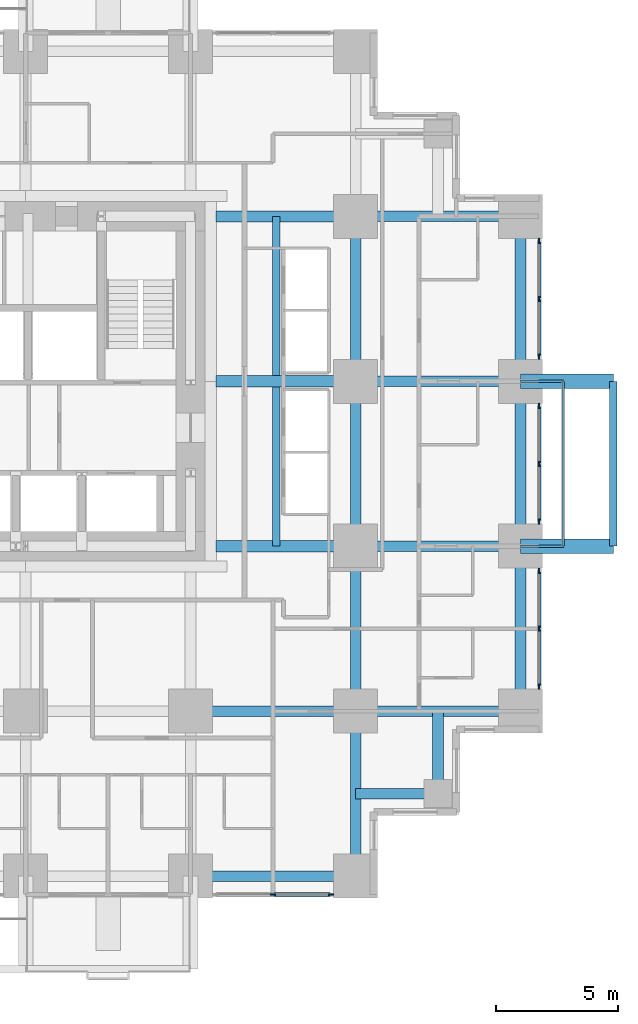
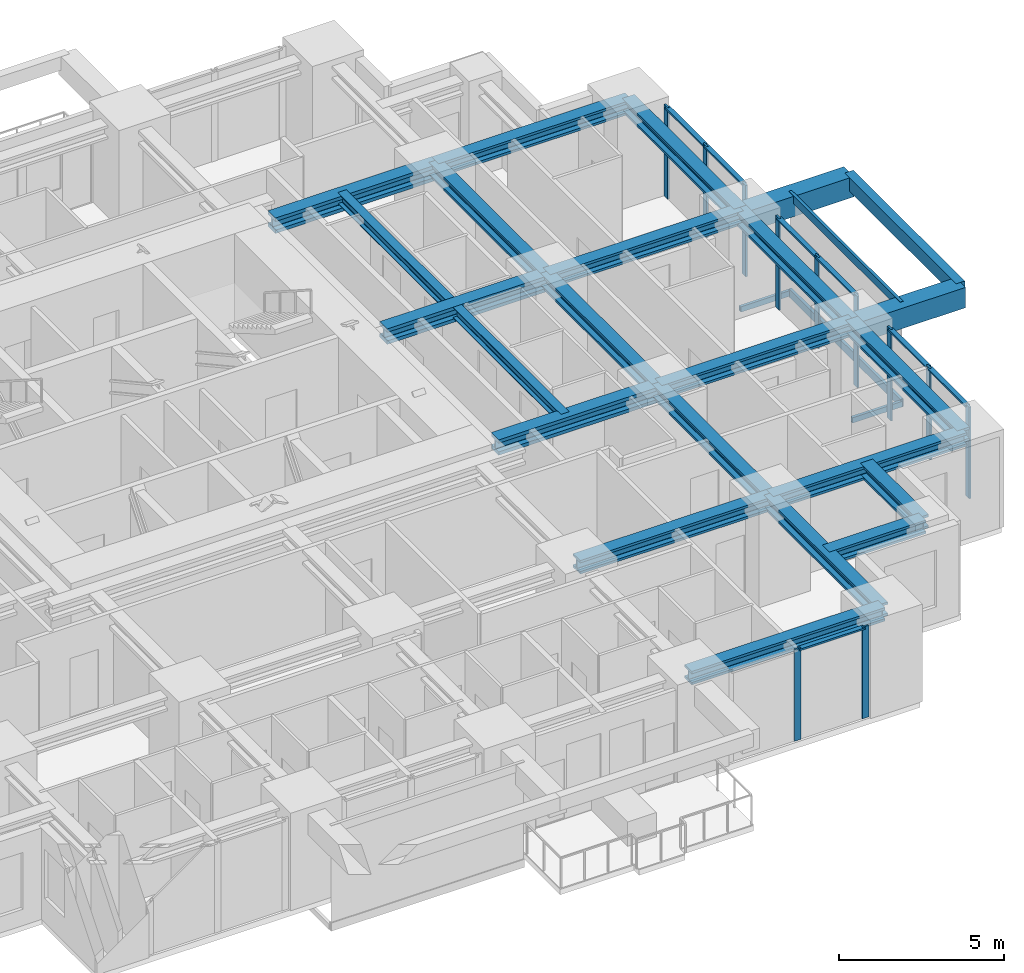
# One storey, part 4 of 13: 23 beams, 22 members, 4 elements without a shape of their own.
"""IFC4 building model written with IfcOpenShell, lengths in metres."""

import ifcopenshell
import ifcopenshell.guid

model = None  # the IFC model being written
_history = None  # IfcOwnerHistory: only IFC2X3 demands one
_inside = {}  # id of a spatial element -> (the spatial element, [elements in it])
_under = {}  # id of a project, library or spatial element -> (it, [spatial elements below it])
_declared = {}  # id of a project -> (the project, [libraries it declares])
_typed = {}  # id of a type object -> (the type object, [elements of that type])
_made_of = {}  # id of a material, layer set ... -> (it, [elements and type objects made of it])


def new_model(schema):
    """Start an empty IFC model of exactly this schema.

    Asked for "IFC4X3", IfcOpenShell would pick the latest addendum, in which some entities
    have other attributes; the version numbers below select the first issue.
    IFC2X3 requires an IfcOwnerHistory on every rooted entity: one is made here for all.
    """
    global model, _history
    if schema == "IFC4X3":
        model = ifcopenshell.file(schema_version=(4, 3, 0, 0))
    else:
        model = ifcopenshell.file(schema=schema)
    _inside.clear()
    _under.clear()
    _declared.clear()
    _typed.clear()
    _made_of.clear()
    _history = None
    if model.schema == "IFC2X3":
        org = make("IfcOrganization", Name="unknown")
        user = make(
            "IfcPersonAndOrganization",
            ThePerson=make("IfcPerson", FamilyName="unknown"),
            TheOrganization=org,
        )
        app = make(
            "IfcApplication",
            ApplicationDeveloper=org,
            Version="unknown",
            ApplicationFullName="unknown",
            ApplicationIdentifier="unknown",
        )
        _history = make(
            "IfcOwnerHistory",
            OwningUser=user,
            OwningApplication=app,
            ChangeAction="ADDED",
            CreationDate=0,
        )
    return model


def make(cls, **values):
    """One entity of the class cls with the attributes given. An attribute that is None is left unset."""
    return model.create_entity(
        cls, **{name: value for name, value in values.items() if value is not None}
    )


def rooted(cls, **values):
    """An entity with a GlobalId (a new one), such as an element, a storey or a relation."""
    return make(cls, GlobalId=ifcopenshell.guid.new(), OwnerHistory=_history, **values)


def si_unit(unit_type, name, prefix=None):
    """IfcSIUnit, for example si_unit("LENGTHUNIT", "METRE", prefix="MILLI")."""
    return make("IfcSIUnit", UnitType=unit_type, Prefix=prefix, Name=name)


def assignment(units):
    """IfcUnitAssignment: the units of a project."""
    return None if units is None else make("IfcUnitAssignment", Units=units)


def point(xyz):
    """IfcCartesianPoint."""
    return None if xyz is None else make("IfcCartesianPoint", Coordinates=xyz)


def direction(xyz):
    """IfcDirection."""
    return None if xyz is None else make("IfcDirection", DirectionRatios=xyz)


def frame(location, z_axis=None, x_axis=None):
    """IfcAxis2Placement3D, a coordinate frame: its origin and axes. An axis left out is left unset."""
    return make(
        "IfcAxis2Placement3D",
        Location=point(location),
        Axis=direction(z_axis),
        RefDirection=direction(x_axis),
    )


def frame_2d(location, x_axis=None):
    """IfcAxis2Placement2D, a coordinate frame in the plane: its origin and x axis."""
    return make(
        "IfcAxis2Placement2D", Location=point(location), RefDirection=direction(x_axis)
    )


def origin():
    """The frame at (0, 0, 0) with its axes left unset."""
    return frame((0.0, 0.0, 0.0))


def origin_2d():
    """The frame at (0, 0) in the plane with its x axis left unset."""
    return frame_2d((0.0, 0.0))


def place(relative_to, where):
    """IfcLocalPlacement: puts the frame where relative to a parent placement (None: the world)."""
    return make(
        "IfcLocalPlacement", PlacementRelTo=relative_to, RelativePlacement=where
    )


def context(
    kind, dimensions, precision=None, world=None, true_north=None, identifier=None
):
    """IfcGeometricRepresentationContext, for example the 3D "Model" context."""
    return make(
        "IfcGeometricRepresentationContext",
        ContextIdentifier=identifier,
        ContextType=kind,
        CoordinateSpaceDimension=dimensions,
        Precision=precision,
        WorldCoordinateSystem=world,
        TrueNorth=true_north,
    )


def subcontext(parent, identifier, kind, view, scale=None):
    """IfcGeometricRepresentationSubContext, for example "Body" below "Model"."""
    return make(
        "IfcGeometricRepresentationSubContext",
        ContextIdentifier=identifier,
        ContextType=kind,
        ParentContext=parent,
        TargetScale=scale,
        TargetView=view,
    )


def project(units=None, contexts=None):
    """IfcProject with its units and contexts."""
    return rooted(
        "IfcProject",
        Name="project",
        RepresentationContexts=contexts,
        UnitsInContext=assignment(units),
    )


def spatial(cls, under=None, at=None, **own):
    """A site, building, storey or space (cls), placed at a placement, below another one or the project."""
    s = rooted(cls, ObjectPlacement=at, **own)
    if under is not None:
        _under.setdefault(under.id(), (under, []))[1].append(s)
    return s


def profile(cls, at=None, kind="AREA", **sizes):
    """A parametric profile (cls). Its sizes go by their IFC names, for example OverallWidth=200.0."""
    return make(cls, ProfileType=kind, Position=at, **sizes)


def rectangle(**sizes):
    """IfcRectangleProfileDef."""
    return profile("IfcRectangleProfileDef", **sizes)


def hollow_rectangle(**sizes):
    """IfcRectangleHollowProfileDef."""
    return profile("IfcRectangleHollowProfileDef", **sizes)


def i_section(**sizes):
    """IfcIShapeProfileDef."""
    return profile("IfcIShapeProfileDef", **sizes)


def extrude(swept, where, along, depth):
    """IfcExtrudedAreaSolid: the profile swept, set in the frame where, extruded along a direction by depth."""
    return make(
        "IfcExtrudedAreaSolid",
        SweptArea=swept,
        Position=where,
        ExtrudedDirection=direction(along),
        Depth=depth,
    )


def shape(context_of_items, identifier, shape_type, items):
    """IfcShapeRepresentation: the items that make up one representation, for example the "Body"."""
    return make(
        "IfcShapeRepresentation",
        ContextOfItems=context_of_items,
        RepresentationIdentifier=identifier,
        RepresentationType=shape_type,
        Items=items,
    )


def material(Name=None, Category=None):
    """IfcMaterial."""
    return make("IfcMaterial", Name=Name, Category=Category)


def material_profile(
    of_material, cross_section, Name=None, Category=None, Priority=None
):
    """IfcMaterialProfile: a cross section and its material."""
    return make(
        "IfcMaterialProfile",
        Name=Name,
        Material=of_material,
        Profile=cross_section,
        Priority=Priority,
        Category=Category,
    )


def profile_set(profiles, Name=None, composite=None):
    """IfcMaterialProfileSet."""
    return make(
        "IfcMaterialProfileSet",
        Name=Name,
        MaterialProfiles=profiles,
        CompositeProfile=composite,
    )


def made_of(thing, what):
    """Note that an element or type object is made of a material, layer set ...; save() writes the relation."""
    if what is not None:
        _made_of.setdefault(what.id(), (what, []))[1].append(thing)
    return thing


def type_object(cls, material=None, **own):
    """A type object (cls), such as IfcWallType, which elements share."""
    return made_of(rooted(cls, **own), material)


def element(
    cls,
    number,
    at=None,
    inside=None,
    cuts=None,
    type_object=None,
    material=None,
    context=None,
    identifier="Body",
    shape_type=None,
    held_by="IfcProductDefinitionShape",
    body=None,
    shapes=None,
    **own,
):
    """One element of the class cls, such as IfcWall. Its Tag is "e" and its number.

    at: its placement. inside: the storey or other place that contains it. cuts: it is an
    opening in that element (IfcRelVoidsElement). A single representation is given by context,
    identifier, shape_type and body (its items); several are given by shapes. held_by: the class
    of the entity that holds the representations. save() writes the other relations.
    """
    e = rooted(cls, Tag="e%d" % number, ObjectPlacement=at, **own)
    if body is not None:
        shapes = [shape(context, identifier, shape_type, body)]
    if shapes is not None:
        e.Representation = make(held_by, Representations=shapes)
    if inside is not None:
        _inside.setdefault(inside.id(), (inside, []))[1].append(e)
    if cuts is not None:
        rooted(
            "IfcRelVoidsElement", RelatingBuildingElement=cuts, RelatedOpeningElement=e
        )
    if type_object is not None:
        _typed.setdefault(type_object.id(), (type_object, []))[1].append(e)
    return made_of(e, material)


def aggregate(whole, parts):
    """IfcRelAggregates: a whole, such as a stair, and the parts it consists of."""
    return rooted("IfcRelAggregates", RelatingObject=whole, RelatedObjects=parts)


def save(model, path):
    """Write the relations noted so far, then the file.

    IfcRelAggregates (storeys below a building ...), IfcRelContainedInSpatialStructure (elements
    in a storey), IfcRelDefinesByType, IfcRelAssociatesMaterial and IfcRelDeclares: one each for
    every whole, place, type object, material and project.
    """
    for whole, parts in _under.values():
        aggregate(whole, parts)
    for where, things in _inside.values():
        rooted(
            "IfcRelContainedInSpatialStructure",
            RelatedElements=things,
            RelatingStructure=where,
        )
    for kind, things in _typed.values():
        rooted("IfcRelDefinesByType", RelatedObjects=things, RelatingType=kind)
    for what, things in _made_of.values():
        rooted("IfcRelAssociatesMaterial", RelatedObjects=things, RelatingMaterial=what)
    for by, libraries in _declared.values():
        rooted("IfcRelDeclares", RelatingContext=by, RelatedDefinitions=libraries)
    model.write(path)


model = new_model("IFC4")

# Units and contexts
model_context = context("Model", 3, precision=1e-05, world=origin(), true_north=direction((0.0, 1.0)))
body_context = subcontext(model_context, "Body", "Model", "MODEL_VIEW")
ifc_project = project(units=[si_unit("LENGTHUNIT", "METRE"), si_unit("AREAUNIT", "SQUARE_METRE"), si_unit("VOLUMEUNIT", "CUBIC_METRE"), si_unit("PLANEANGLEUNIT", "RADIAN"), si_unit("MASSUNIT", "GRAM", prefix="KILO")], contexts=[model_context])

# Site, building, storey
site_placement = place(None, origin())
site = spatial("IfcSite", under=ifc_project, at=site_placement, CompositionType="ELEMENT")
building_placement = place(site_placement, origin())
building = spatial("IfcBuilding", under=site, at=building_placement, Name="Nyansa Garden Tower", CompositionType="ELEMENT")
storey_placement = place(building_placement, frame((0.0, 0.0, 105.300048828125)))
storey = spatial("IfcBuildingStorey", under=building, at=storey_placement, Name="L28", CompositionType="ELEMENT", Elevation=105.300048828125)

# Beams
ifc_material_1 = material(Name="Concrete C70/85", Category="concrete")
ifc_material_profile_1 = material_profile(ifc_material_1, rectangle(XDim=0.60009765625, YDim=0.75, at=origin_2d()), Name="RC 600x750")
ifc_profile_set_1 = profile_set([ifc_material_profile_1], Name="Concrete C70/85")
beam_type_1 = type_object("IfcBeamType", Name="Balcony cantilever beam CB1 RC 600x750", PredefinedType="BEAM", material=ifc_profile_set_1)
for number, where, z_axis, x_axis, name in (
    (1, (40.5, 13.5, 2.98486328125), (1.0, 0.0, 0.0), (0.0, 1.0, 0.0), "Balcony cantilever beam L29"),
    (2, (40.5, 20.25, 2.98486328125), (1.0, 0.0, 0.0), (0.0, 1.0, 0.0), "Balcony cantilever beam L29"),
):
    element("IfcBeam", number, at=place(storey_placement, frame(where, z_axis=z_axis, x_axis=x_axis)), inside=storey, type_object=beam_type_1, Name=name, PredefinedType="BEAM", context=body_context, shape_type="SweptSolid", body=[
        extrude(rectangle(XDim=0.60009765625, YDim=0.75, at=origin_2d()), origin(), (0.0, 0.0, 1.0), 3.800048828125),
    ])
ifc_material_2 = material(Name="Concrete C70/85", Category="concrete")
ifc_material_profile_2 = material_profile(ifc_material_2, rectangle(XDim=0.300048828125, YDim=0.5, at=origin_2d()), Name="RC 300x500")
ifc_profile_set_2 = profile_set([ifc_material_profile_2], Name="Concrete C70/85")
beam_type_2 = type_object("IfcBeamType", Name="Balcony edge beam BE1 RC 300x500", PredefinedType="BEAM", material=ifc_profile_set_2)
beam_placement = place(storey_placement, frame((44.300048828125, 13.5, 3.10986328125), z_axis=(0.0, 1.0, 0.0), x_axis=(-1.0, 0.0, 0.0)))
element("IfcBeam", 3, at=beam_placement, inside=storey, type_object=beam_type_2, Name="Balcony edge beam L29", PredefinedType="BEAM", context=body_context, shape_type="SweptSolid", body=[
    extrude(rectangle(XDim=0.300048828125, YDim=0.5, at=origin_2d()), origin(), (0.0, 0.0, 1.0), 6.75),
])

# Curtain wall, members
ifc_material_3 = material(Name="Black anodised aluminium, dark tinted double glazing", Category="aluminium")
curtain_wall_type = type_object("IfcCurtainWallType", Name="Inner skin curtain wall ISW-B", PredefinedType="USERDEFINED", material=ifc_material_3)
curtain_wall_1_placement = place(storey_placement, origin())
curtain_wall_1 = element("IfcCurtainWall", 4, at=curtain_wall_1_placement, inside=storey, type_object=curtain_wall_type, Name="Inner skin curtain wall L28 E", ObjectType="UNITISED CURTAIN WALL", PredefinedType="USERDEFINED")
ifc_material_4 = material(Name="Black anodised aluminium", Category="aluminium")
ifc_material_profile_3 = material_profile(ifc_material_4, rectangle(XDim=0.06494140625, YDim=0.22509765625, at=origin_2d()), Name="Mullion 225x65")
ifc_profile_set_3 = profile_set([ifc_material_profile_3], Name="Black anodised aluminium")
member_type_1 = type_object("IfcMemberType", Name="Mullion ISW-B 225x65", PredefinedType="MULLION", material=ifc_profile_set_3)
member_1_placement = place(storey_placement, frame((41.25, 7.762451171875, 0.0), z_axis=(0.0, 0.0, 1.0), x_axis=(-1.0, 0.0, 0.0)))
member_1 = element("IfcMember", 5, at=member_1_placement, type_object=member_type_1, Name="ISW-B mullion 1", PredefinedType="MULLION", context=body_context, shape_type="SweptSolid", body=[
    extrude(rectangle(XDim=0.06494140625, YDim=0.22509765625, at=origin_2d()), origin(), (0.0, 0.0, 1.0), 3.375),
])
member_2_placement = place(storey_placement, frame((41.25, 10.125, 0.0), z_axis=(0.0, 0.0, 1.0), x_axis=(-1.0, 0.0, 0.0)))
member_2 = element("IfcMember", 6, at=member_2_placement, type_object=member_type_1, Name="ISW-B mullion 2", PredefinedType="MULLION", context=body_context, shape_type="SweptSolid", body=[
    extrude(rectangle(XDim=0.06494140625, YDim=0.22509765625, at=origin_2d()), origin(), (0.0, 0.0, 1.0), 3.375),
])
member_3_placement = place(storey_placement, frame((41.25, 12.487548828125, 0.0), z_axis=(0.0, 0.0, 1.0), x_axis=(-1.0, 0.0, 0.0)))
member_3 = element("IfcMember", 7, at=member_3_placement, type_object=member_type_1, Name="ISW-B mullion 3", PredefinedType="MULLION", context=body_context, shape_type="SweptSolid", body=[
    extrude(rectangle(XDim=0.06494140625, YDim=0.22509765625, at=origin_2d()), origin(), (0.0, 0.0, 1.0), 3.375),
])

curtain_wall_2_placement = place(storey_placement, origin())
curtain_wall_2 = element("IfcCurtainWall", 8, at=curtain_wall_2_placement, inside=storey, type_object=curtain_wall_type, Name="Inner skin curtain wall L28 E", ObjectType="UNITISED CURTAIN WALL", PredefinedType="USERDEFINED")
member_4_placement = place(storey_placement, frame((41.25, 14.512451171875, 0.0), z_axis=(0.0, 0.0, 1.0), x_axis=(-1.0, 0.0, 0.0)))
member_4 = element("IfcMember", 9, at=member_4_placement, type_object=member_type_1, Name="ISW-B mullion 1", PredefinedType="MULLION", context=body_context, shape_type="SweptSolid", body=[
    extrude(rectangle(XDim=0.06494140625, YDim=0.22509765625, at=origin_2d()), origin(), (0.0, 0.0, 1.0), 3.375),
])
member_5_placement = place(storey_placement, frame((41.25, 16.875, 0.0), z_axis=(0.0, 0.0, 1.0), x_axis=(-1.0, 0.0, 0.0)))
member_5 = element("IfcMember", 10, at=member_5_placement, type_object=member_type_1, Name="ISW-B mullion 2", PredefinedType="MULLION", context=body_context, shape_type="SweptSolid", body=[
    extrude(rectangle(XDim=0.06494140625, YDim=0.22509765625, at=origin_2d()), origin(), (0.0, 0.0, 1.0), 3.375),
])
member_6_placement = place(storey_placement, frame((41.25, 19.237548828125, 0.0), z_axis=(0.0, 0.0, 1.0), x_axis=(-1.0, 0.0, 0.0)))
member_6 = element("IfcMember", 11, at=member_6_placement, type_object=member_type_1, Name="ISW-B mullion 3", PredefinedType="MULLION", context=body_context, shape_type="SweptSolid", body=[
    extrude(rectangle(XDim=0.06494140625, YDim=0.22509765625, at=origin_2d()), origin(), (0.0, 0.0, 1.0), 3.375),
])

curtain_wall_3_placement = place(storey_placement, origin())
curtain_wall_3 = element("IfcCurtainWall", 12, at=curtain_wall_3_placement, inside=storey, type_object=curtain_wall_type, Name="Inner skin curtain wall L28 E", ObjectType="UNITISED CURTAIN WALL", PredefinedType="USERDEFINED")
member_7_placement = place(storey_placement, frame((41.25, 21.262451171875, 0.0), z_axis=(0.0, 0.0, 1.0), x_axis=(-1.0, 0.0, 0.0)))
member_7 = element("IfcMember", 13, at=member_7_placement, type_object=member_type_1, Name="ISW-B mullion 1", PredefinedType="MULLION", context=body_context, shape_type="SweptSolid", body=[
    extrude(rectangle(XDim=0.06494140625, YDim=0.22509765625, at=origin_2d()), origin(), (0.0, 0.0, 1.0), 3.375),
])
member_8_placement = place(storey_placement, frame((41.25, 23.625, 0.0), z_axis=(0.0, 0.0, 1.0), x_axis=(-1.0, 0.0, 0.0)))
member_8 = element("IfcMember", 14, at=member_8_placement, type_object=member_type_1, Name="ISW-B mullion 2", PredefinedType="MULLION", context=body_context, shape_type="SweptSolid", body=[
    extrude(rectangle(XDim=0.06494140625, YDim=0.22509765625, at=origin_2d()), origin(), (0.0, 0.0, 1.0), 3.375),
])
member_9_placement = place(storey_placement, frame((41.25, 25.987548828125, 0.0), z_axis=(0.0, 0.0, 1.0), x_axis=(-1.0, 0.0, 0.0)))
member_9 = element("IfcMember", 15, at=member_9_placement, type_object=member_type_1, Name="ISW-B mullion 3", PredefinedType="MULLION", context=body_context, shape_type="SweptSolid", body=[
    extrude(rectangle(XDim=0.06494140625, YDim=0.22509765625, at=origin_2d()), origin(), (0.0, 0.0, 1.0), 3.375),
])

curtain_wall_4_placement = place(storey_placement, origin())
curtain_wall_4 = element("IfcCurtainWall", 16, at=curtain_wall_4_placement, inside=storey, type_object=curtain_wall_type, Name="Inner skin curtain wall L28 S", ObjectType="UNITISED CURTAIN WALL", PredefinedType="USERDEFINED")
member_10_placement = place(storey_placement, frame((30.375, -0.75, 0.0), z_axis=(0.0, 0.0, 1.0), x_axis=(0.0, 1.0, 0.0)))
member_10 = element("IfcMember", 17, at=member_10_placement, type_object=member_type_1, Name="ISW-B mullion 2", PredefinedType="MULLION", context=body_context, shape_type="SweptSolid", body=[
    extrude(rectangle(XDim=0.06494140625, YDim=0.22509765625, at=origin_2d()), origin(), (0.0, 0.0, 1.0), 3.375),
])
member_11_placement = place(storey_placement, frame((32.737548828125, -0.75, 0.0), z_axis=(0.0, 0.0, 1.0), x_axis=(0.0, 1.0, 0.0)))
member_11 = element("IfcMember", 18, at=member_11_placement, type_object=member_type_1, Name="ISW-B mullion 3", PredefinedType="MULLION", context=body_context, shape_type="SweptSolid", body=[
    extrude(rectangle(XDim=0.06494140625, YDim=0.22509765625, at=origin_2d()), origin(), (0.0, 0.0, 1.0), 3.375),
])

# Members
ifc_material_5 = material(Name="Steel S355, black powder coated", Category="steel")
ifc_material_profile_4 = material_profile(ifc_material_5, hollow_rectangle(XDim=0.10009765625, YDim=0.199951171875, WallThickness=0.008056640625, at=origin_2d()), Name="RHS 200x100x8")
ifc_profile_set_4 = profile_set([ifc_material_profile_4], Name="Steel S355, black powder coated")
member_type_2 = type_object("IfcMemberType", Name="Outer skin bracket arm RHS 200x100x8", PredefinedType="USERDEFINED", material=ifc_profile_set_4)
for number, where, z_axis, x_axis, name in (
    (19, (40.5, 13.5, -0.375), (1.0, 0.0, 0.0), (0.0, 1.0, 0.0), "Outer skin bracket arm"),
    (20, (40.5, 20.25, -0.375), (1.0, 0.0, 0.0), (0.0, 1.0, 0.0), "Outer skin bracket arm"),
):
    element("IfcMember", number, at=place(storey_placement, frame(where, z_axis=z_axis, x_axis=x_axis)), inside=storey, type_object=member_type_2, Name=name, ObjectType="OUTER SKIN BRACKET", PredefinedType="USERDEFINED", context=body_context, shape_type="SweptSolid", body=[
        extrude(hollow_rectangle(XDim=0.10009765625, YDim=0.199951171875, WallThickness=0.008056640625, at=origin_2d()), origin(), (0.0, 0.0, 1.0), 1.75),
    ])
ifc_material_6 = material(Name="Steel S355, black powder coated", Category="steel")
ifc_material_profile_5 = material_profile(ifc_material_6, hollow_rectangle(XDim=0.10009765625, YDim=0.300048828125, WallThickness=0.010009765625, at=origin_2d()), Name="RHS 300x100x10")
ifc_profile_set_5 = profile_set([ifc_material_profile_5], Name="Steel S355, black powder coated")
member_type_3 = type_object("IfcMemberType", Name="Outer skin rail RHS 300x100x10", PredefinedType="USERDEFINED", material=ifc_profile_set_5)
for number, where, z_axis, x_axis, name in (
    (21, (42.25, 13.5, -0.375), (0.0, 1.0, 0.0), (-1.0, 0.0, 0.0), "Outer skin rail L28"),
    (22, (42.25, 13.5, 3.224853515625), (0.0, 1.0, 0.0), (-1.0, 0.0, 0.0), "Outer skin rail L28 head"),
):
    element("IfcMember", number, at=place(storey_placement, frame(where, z_axis=z_axis, x_axis=x_axis)), inside=storey, type_object=member_type_3, Name=name, ObjectType="OUTER SKIN RAIL", PredefinedType="USERDEFINED", context=body_context, shape_type="SweptSolid", body=[
        extrude(hollow_rectangle(XDim=0.10009765625, YDim=0.300048828125, WallThickness=0.010009765625, at=origin_2d()), origin(), (0.0, 0.0, 1.0), 6.75),
    ])

# Beams
ifc_material_7 = material(Name="Steel S355", Category="steel")
ifc_material_profile_6 = material_profile(ifc_material_7, i_section(OverallWidth=0.431884765625, OverallDepth=0.498046875, WebThickness=0.0556640625, FlangeThickness=0.0888671875, FilletRadius=0.014892578125, at=origin_2d()), Name="HD 400x744")
ifc_profile_set_6 = profile_set([ifc_material_profile_6], Name="Steel S355")
beam_type_3 = type_object("IfcBeamType", Name="Steel beam SBB1-744 HD 400x744", PredefinedType="BEAM", material=ifc_profile_set_6)
for number, where, z_axis, x_axis, name in (
    (23, (27.0, 6.75, 3.1259765625), (1.0, 0.0, 0.0), (0.0, 1.0, 0.0), "Steel beam 6/E-7/E L29"),
    (24, (33.75, 0.0, 3.1259765625), (0.0, 1.0, 0.0), (-1.0, 0.0, 0.0), "Steel beam 7/D-7/E L29"),
    (25, (33.75, 6.75, 3.1259765625), (0.0, 1.0, 0.0), (-1.0, 0.0, 0.0), "Steel beam 7/E-7/F L29"),
    (26, (33.75, 6.75, 3.1259765625), (1.0, 0.0, 0.0), (0.0, 1.0, 0.0), "Steel beam 7/E-8/E L29"),
    (27, (33.75, 13.5, 3.1259765625), (0.0, 1.0, 0.0), (-1.0, 0.0, 0.0), "Steel beam 7/F-7/G L29"),
    (28, (33.75, 13.5, 3.1259765625), (1.0, 0.0, 0.0), (0.0, 1.0, 0.0), "Steel beam 7/F-8/F L29"),
    (29, (33.75, 20.25, 3.1259765625), (0.0, 1.0, 0.0), (-1.0, 0.0, 0.0), "Steel beam 7/G-7/H L29"),
    (30, (33.75, 20.25, 3.1259765625), (1.0, 0.0, 0.0), (0.0, 1.0, 0.0), "Steel beam 7/G-8/G L29"),
    (31, (33.75, 27.0, 3.1259765625), (1.0, 0.0, 0.0), (0.0, 1.0, 0.0), "Steel beam 7/H-8/H L29"),
):
    element("IfcBeam", number, at=place(storey_placement, frame(where, z_axis=z_axis, x_axis=x_axis)), inside=storey, type_object=beam_type_3, Name=name, PredefinedType="BEAM", context=body_context, shape_type="SweptSolid", body=[
        extrude(i_section(OverallWidth=0.431884765625, OverallDepth=0.498046875, WebThickness=0.0556640625, FlangeThickness=0.0888671875, FilletRadius=0.014892578125, at=origin_2d()), origin(), (0.0, 0.0, 1.0), 6.75),
    ])
ifc_material_8 = material(Name="Steel S355", Category="steel")
ifc_material_profile_7 = material_profile(ifc_material_8, i_section(OverallWidth=0.4541015625, OverallDepth=0.569091796875, WebThickness=0.077880859375, FlangeThickness=0.125, FilletRadius=0.014892578125, at=origin_2d()), Name="HD 400x1086")
ifc_profile_set_7 = profile_set([ifc_material_profile_7], Name="Steel S355")
beam_type_4 = type_object("IfcBeamType", Name="Steel beam SCL-1086 HD 400x1086", PredefinedType="BEAM", material=ifc_profile_set_7)
for number, where, z_axis, x_axis, name in (
    (32, (28.050048828125, 13.5, 3.09033203125), (1.0, 0.0, 0.0), (0.0, 1.0, 0.0), "Steel beam 28.050/F-7/F L29"),
    (33, (28.050048828125, 20.25, 3.09033203125), (1.0, 0.0, 0.0), (0.0, 1.0, 0.0), "Steel beam 28.050/G-7/G L29"),
    (34, (28.050048828125, 27.0, 3.09033203125), (1.0, 0.0, 0.0), (0.0, 1.0, 0.0), "Steel beam 28.050/H-7/H L29"),
):
    element("IfcBeam", number, at=place(storey_placement, frame(where, z_axis=z_axis, x_axis=x_axis)), inside=storey, type_object=beam_type_4, Name=name, PredefinedType="BEAM", context=body_context, shape_type="SweptSolid", body=[
        extrude(i_section(OverallWidth=0.4541015625, OverallDepth=0.569091796875, WebThickness=0.077880859375, FlangeThickness=0.125, FilletRadius=0.014892578125, at=origin_2d()), origin(), (0.0, 0.0, 1.0), 5.699951171875),
    ])
ifc_material_9 = material(Name="Steel S355", Category="steel")
ifc_material_profile_8 = material_profile(ifc_material_9, i_section(OverallWidth=0.431884765625, OverallDepth=0.498046875, WebThickness=0.0556640625, FlangeThickness=0.0888671875, FilletRadius=0.014892578125, at=origin_2d()), Name="HD 400x744")
ifc_profile_set_8 = profile_set([ifc_material_profile_8], Name="Steel S355")
beam_type_5 = type_object("IfcBeamType", Name="Steel beam SEBB-744 HD 400x744", PredefinedType="BEAM", material=ifc_profile_set_8)
for number, where, z_axis, x_axis, name in (
    (35, (27.0, 0.0, 3.1259765625), (1.0, 0.0, 0.0), (0.0, 1.0, 0.0), "Steel edge beam 6/D-7/D L29"),
    (36, (40.5, 6.75, 3.1259765625), (0.0, 1.0, 0.0), (-1.0, 0.0, 0.0), "Steel edge beam 8/E-8/F L29"),
    (37, (40.5, 13.5, 3.1259765625), (0.0, 1.0, 0.0), (-1.0, 0.0, 0.0), "Steel edge beam 8/F-8/G L29"),
    (38, (40.5, 20.25, 3.1259765625), (0.0, 1.0, 0.0), (-1.0, 0.0, 0.0), "Steel edge beam 8/G-8/H L29"),
):
    element("IfcBeam", number, at=place(storey_placement, frame(where, z_axis=z_axis, x_axis=x_axis)), inside=storey, type_object=beam_type_5, Name=name, PredefinedType="BEAM", context=body_context, shape_type="SweptSolid", body=[
        extrude(i_section(OverallWidth=0.431884765625, OverallDepth=0.498046875, WebThickness=0.0556640625, FlangeThickness=0.0888671875, FilletRadius=0.014892578125, at=origin_2d()), origin(), (0.0, 0.0, 1.0), 6.75),
    ])
ifc_material_10 = material(Name="Steel S355", Category="steel")
ifc_material_profile_9 = material_profile(ifc_material_10, i_section(OverallWidth=0.431884765625, OverallDepth=0.498046875, WebThickness=0.0556640625, FlangeThickness=0.0888671875, FilletRadius=0.014892578125, at=origin_2d()), Name="HD 400x744")
ifc_profile_set_9 = profile_set([ifc_material_profile_9], Name="Steel S355")
beam_type_6 = type_object("IfcBeamType", Name="Steel beam SSB1-744 HD 400x744", PredefinedType="BEAM", material=ifc_profile_set_9)
for number, where, z_axis, x_axis, name in (
    (39, (37.125, 3.375, 3.1259765625), (0.0, 1.0, 0.0), (-1.0, 0.0, 0.0), "Steel step beam 37.125/3.375 L29"),
    (40, (37.125, 3.375, 3.1259765625), (-1.0, 0.0, 0.0), (0.0, -1.0, 0.0), "Steel step beam 37.125/3.375 L29"),
):
    element("IfcBeam", number, at=place(storey_placement, frame(where, z_axis=z_axis, x_axis=x_axis)), inside=storey, type_object=beam_type_6, Name=name, PredefinedType="BEAM", context=body_context, shape_type="SweptSolid", body=[
        extrude(i_section(OverallWidth=0.431884765625, OverallDepth=0.498046875, WebThickness=0.0556640625, FlangeThickness=0.0888671875, FilletRadius=0.014892578125, at=origin_2d()), origin(), (0.0, 0.0, 1.0), 3.375),
    ])

# Member
ifc_material_11 = material(Name="Black anodised aluminium", Category="aluminium")
ifc_material_profile_10 = material_profile(ifc_material_11, rectangle(XDim=0.1650390625, YDim=0.06494140625, at=origin_2d()), Name="Transom 165x65")
ifc_profile_set_10 = profile_set([ifc_material_profile_10], Name="Black anodised aluminium")
member_type_4 = type_object("IfcMemberType", Name="Transom ISW-B 165x65", PredefinedType="USERDEFINED", material=ifc_profile_set_10)
member_12_placement = place(storey_placement, frame((41.25, 7.794921875, 3.342529296875), z_axis=(0.0, 1.0, 0.0), x_axis=(-1.0, 0.0, 0.0)))
member_12 = element("IfcMember", 41, at=member_12_placement, type_object=member_type_4, Name="ISW-B transom 1", ObjectType="TRANSOM", PredefinedType="USERDEFINED", context=body_context, shape_type="SweptSolid", body=[
    extrude(rectangle(XDim=0.1650390625, YDim=0.06494140625, at=origin_2d()), origin(), (0.0, 0.0, 1.0), 2.297607421875),
])

member_13_placement = place(storey_placement, frame((41.25, 10.157470703125, 3.342529296875), z_axis=(0.0, 1.0, 0.0), x_axis=(-1.0, 0.0, 0.0)))
member_13 = element("IfcMember", 42, at=member_13_placement, type_object=member_type_4, Name="ISW-B transom 2", ObjectType="TRANSOM", PredefinedType="USERDEFINED", context=body_context, shape_type="SweptSolid", body=[
    extrude(rectangle(XDim=0.1650390625, YDim=0.06494140625, at=origin_2d()), origin(), (0.0, 0.0, 1.0), 2.297607421875),
])

aggregate(curtain_wall_1, [member_1, member_2, member_3, member_12, member_13])

member_14_placement = place(storey_placement, frame((41.25, 14.544921875, 3.342529296875), z_axis=(0.0, 1.0, 0.0), x_axis=(-1.0, 0.0, 0.0)))
member_14 = element("IfcMember", 43, at=member_14_placement, type_object=member_type_4, Name="ISW-B transom 1", ObjectType="TRANSOM", PredefinedType="USERDEFINED", context=body_context, shape_type="SweptSolid", body=[
    extrude(rectangle(XDim=0.1650390625, YDim=0.06494140625, at=origin_2d()), origin(), (0.0, 0.0, 1.0), 2.297607421875),
])

member_15_placement = place(storey_placement, frame((41.25, 16.907470703125, 3.342529296875), z_axis=(0.0, 1.0, 0.0), x_axis=(-1.0, 0.0, 0.0)))
member_15 = element("IfcMember", 44, at=member_15_placement, type_object=member_type_4, Name="ISW-B transom 2", ObjectType="TRANSOM", PredefinedType="USERDEFINED", context=body_context, shape_type="SweptSolid", body=[
    extrude(rectangle(XDim=0.1650390625, YDim=0.06494140625, at=origin_2d()), origin(), (0.0, 0.0, 1.0), 2.297607421875),
])

aggregate(curtain_wall_2, [member_4, member_5, member_6, member_14, member_15])

member_16_placement = place(storey_placement, frame((41.25, 21.294921875, 3.342529296875), z_axis=(0.0, 1.0, 0.0), x_axis=(-1.0, 0.0, 0.0)))
member_16 = element("IfcMember", 45, at=member_16_placement, type_object=member_type_4, Name="ISW-B transom 1", ObjectType="TRANSOM", PredefinedType="USERDEFINED", context=body_context, shape_type="SweptSolid", body=[
    extrude(rectangle(XDim=0.1650390625, YDim=0.06494140625, at=origin_2d()), origin(), (0.0, 0.0, 1.0), 2.297607421875),
])

member_17_placement = place(storey_placement, frame((41.25, 23.657470703125, 3.342529296875), z_axis=(0.0, 1.0, 0.0), x_axis=(-1.0, 0.0, 0.0)))
member_17 = element("IfcMember", 46, at=member_17_placement, type_object=member_type_4, Name="ISW-B transom 2", ObjectType="TRANSOM", PredefinedType="USERDEFINED", context=body_context, shape_type="SweptSolid", body=[
    extrude(rectangle(XDim=0.1650390625, YDim=0.06494140625, at=origin_2d()), origin(), (0.0, 0.0, 1.0), 2.297607421875),
])

aggregate(curtain_wall_3, [member_7, member_8, member_9, member_16, member_17])

member_18_placement = place(storey_placement, frame((30.407470703125, -0.75, 3.342529296875), z_axis=(1.0, 0.0, 0.0), x_axis=(0.0, 1.0, 0.0)))
member_18 = element("IfcMember", 47, at=member_18_placement, type_object=member_type_4, Name="ISW-B transom 2", ObjectType="TRANSOM", PredefinedType="USERDEFINED", context=body_context, shape_type="SweptSolid", body=[
    extrude(rectangle(XDim=0.1650390625, YDim=0.06494140625, at=origin_2d()), origin(), (0.0, 0.0, 1.0), 2.297607421875),
])

aggregate(curtain_wall_4, [member_10, member_11, member_18])

# Beams
ifc_material_12 = material(Name="Steel S355", Category="steel")
ifc_material_profile_11 = material_profile(ifc_material_12, i_section(OverallWidth=0.300048828125, OverallDepth=0.39990234375, WebThickness=0.013427734375, FlangeThickness=0.02392578125, FilletRadius=0.027099609375, at=origin_2d()), Name="HE 400 B")
ifc_profile_set_11 = profile_set([ifc_material_profile_11], Name="Steel S355")
beam_type_7 = type_object("IfcBeamType", Name="Trimmer beam TR1 HE 400 B", PredefinedType="BEAM", material=ifc_profile_set_11)
for number, where, z_axis, x_axis, name in (
    (48, (30.5, 13.5, 3.175048828125), (0.0, 1.0, 0.0), (-1.0, 0.0, 0.0), "Trimmer beam 1 L29"),
    (49, (30.5, 20.47705078125, 3.175048828125), (0.0, 1.0, 0.0), (-1.0, 0.0, 0.0), "Trimmer beam 2 L29"),
):
    element("IfcBeam", number, at=place(storey_placement, frame(where, z_axis=z_axis, x_axis=x_axis)), inside=storey, type_object=beam_type_7, Name=name, PredefinedType="BEAM", context=body_context, shape_type="SweptSolid", body=[
        extrude(i_section(OverallWidth=0.300048828125, OverallDepth=0.39990234375, WebThickness=0.013427734375, FlangeThickness=0.02392578125, FilletRadius=0.027099609375, at=origin_2d()), origin(), (0.0, 0.0, 1.0), 6.52294921875),
    ])

save(model, "model.ifc")
